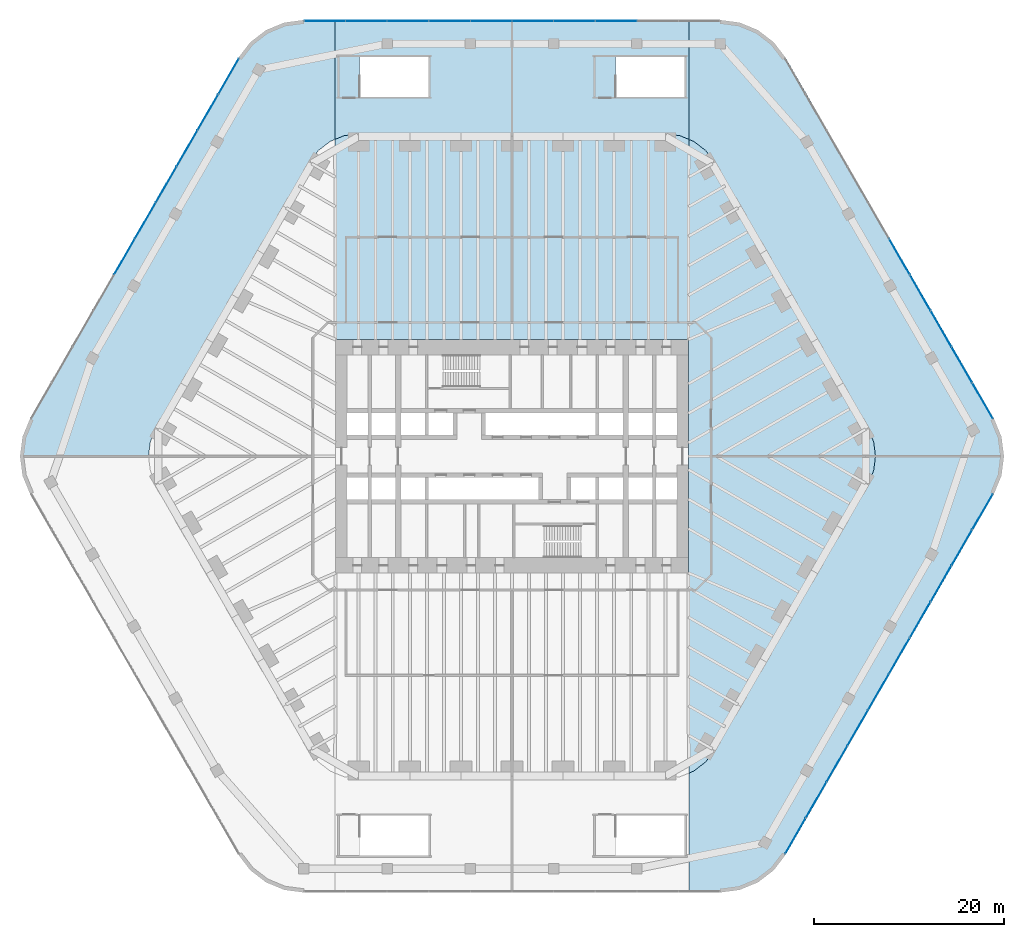
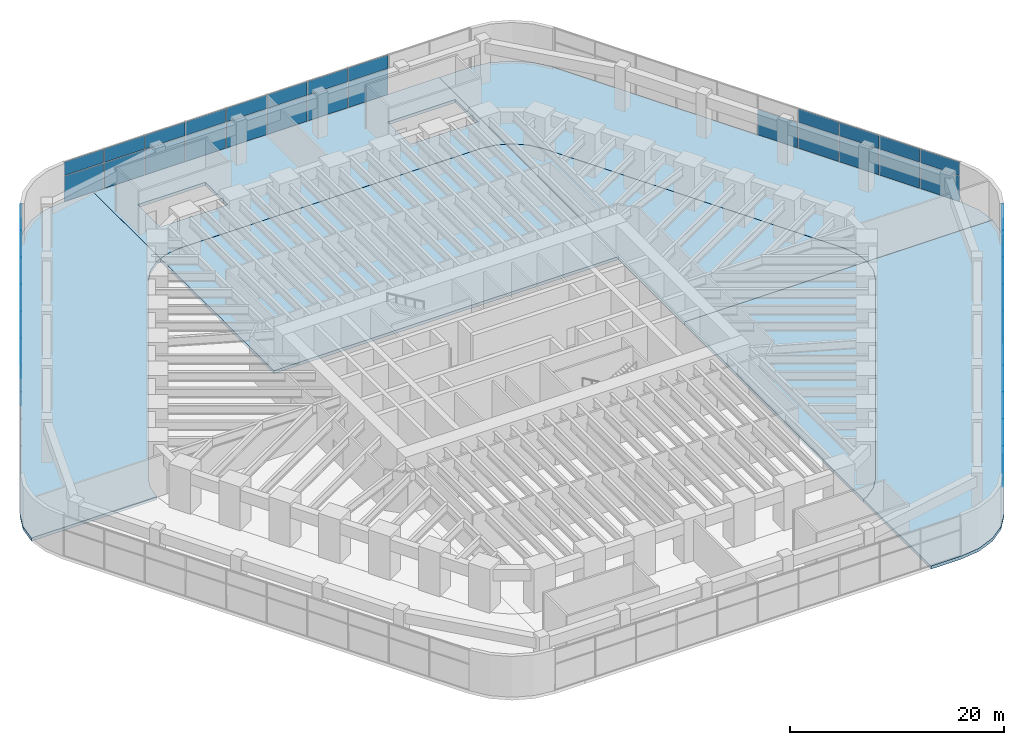
# One storey, part 24 of 31: 56 plates, 7 slabs, 4 elements without a shape of their own.
"""IFC4 building model written with IfcOpenShell, lengths in metres."""

from ifc_helpers import new_model, si_unit, direction, frame, origin, origin_2d, place, context, subcontext, project, spatial, polyline, rectangle, outline, extrude, material, layer, layer_set, type_object, element, aggregate, save


model = new_model("IFC4")

# Units and contexts
model_context = context("Model", 3, precision=1e-05, world=origin(), true_north=direction((0.0, 1.0)))
body_context = subcontext(model_context, "Body", "Model", "MODEL_VIEW")
ifc_project = project(units=[si_unit("LENGTHUNIT", "METRE"), si_unit("AREAUNIT", "SQUARE_METRE"), si_unit("VOLUMEUNIT", "CUBIC_METRE"), si_unit("PLANEANGLEUNIT", "RADIAN"), si_unit("MASSUNIT", "GRAM", prefix="KILO")], contexts=[model_context])

# Site, building, storey
site_placement = place(None, origin())
site = spatial("IfcSite", under=ifc_project, at=site_placement, CompositionType="ELEMENT")
building_placement = place(site_placement, origin())
building = spatial("IfcBuilding", under=site, at=building_placement, Name="Tarfa Lantern Tower", CompositionType="ELEMENT")
storey_placement = place(building_placement, frame((0.0, 0.0, 18.5)))
storey = spatial("IfcBuildingStorey", under=building, at=storey_placement, Name="L03", CompositionType="ELEMENT", Elevation=18.5)

# Curtain wall, plates
ifc_material_1 = material(Name="Aluminium framed curtain wall", Category="aluminium")
curtain_wall_type = type_object("IfcCurtainWallType", Name="CW7 PODIUM GLAZING 4650", PredefinedType="USERDEFINED", material=ifc_material_1)
curtain_wall_1_placement = place(storey_placement, origin())
curtain_wall_1 = element("IfcCurtainWall", 1, at=curtain_wall_1_placement, inside=storey, type_object=curtain_wall_type, Name="CW7 NE L03", ObjectType="CURTAIN WALL", PredefinedType="USERDEFINED")
ifc_material_2 = material(Name="Laminated double glazing", Category="glass")
ifc_layer_1 = layer(ifc_material_2, 0.028076171875)
ifc_layer_set_1 = layer_set([ifc_layer_1], Name="CWP1 DOUBLE GLAZED PANEL")
plate_type = type_object("IfcPlateType", Name="CWP1 DOUBLE GLAZED PANEL", PredefinedType="CURTAIN_PANEL", material=ifc_layer_set_1)
plate_1_placement = place(storey_placement, frame((49.615234375, 5.864013671875, 0.06494140625), z_axis=(0.0, 0.0, 1.0), x_axis=(-0.5, 0.866025403784, 0.0)))
plate_1 = element("IfcPlate", 2, at=plate_1_placement, type_object=plate_type, Name="CW7 panel 1.1", PredefinedType="CURTAIN_PANEL", context=body_context, shape_type="SweptSolid", body=[
    extrude(rectangle(XDim=4.290283203125, YDim=0.028076171875, at=origin_2d()), origin(), (0.0, 0.0, 1.0), 2.902587890625),
])
plate_2_placement = place(storey_placement, frame((49.615234375, 5.864013671875, 3.03271484375), z_axis=(0.0, 0.0, 1.0), x_axis=(-0.5, 0.866025403784, 0.0)))
plate_2 = element("IfcPlate", 3, at=plate_2_placement, type_object=plate_type, Name="CW7 panel 1.2", PredefinedType="CURTAIN_PANEL", context=body_context, shape_type="SweptSolid", body=[
    extrude(rectangle(XDim=4.290283203125, YDim=0.028076171875, at=origin_2d()), origin(), (0.0, 0.0, 1.0), 1.552490234375),
])
plate_3_placement = place(storey_placement, frame((47.429443359375, 9.64990234375, 0.06494140625), z_axis=(0.0, 0.0, 1.0), x_axis=(-0.5, 0.866025403784, 0.0)))
plate_3 = element("IfcPlate", 4, at=plate_3_placement, type_object=plate_type, Name="CW7 panel 2.1", PredefinedType="CURTAIN_PANEL", context=body_context, shape_type="SweptSolid", body=[
    extrude(rectangle(XDim=4.32275390625, YDim=0.028076171875, at=origin_2d()), origin(), (0.0, 0.0, 1.0), 2.902587890625),
])
plate_4_placement = place(storey_placement, frame((47.429443359375, 9.64990234375, 3.03271484375), z_axis=(0.0, 0.0, 1.0), x_axis=(-0.5, 0.866025403784, 0.0)))
plate_4 = element("IfcPlate", 5, at=plate_4_placement, type_object=plate_type, Name="CW7 panel 2.2", PredefinedType="CURTAIN_PANEL", context=body_context, shape_type="SweptSolid", body=[
    extrude(rectangle(XDim=4.32275390625, YDim=0.028076171875, at=origin_2d()), origin(), (0.0, 0.0, 1.0), 1.552490234375),
])
plate_5_placement = place(storey_placement, frame((45.2353515625, 13.449951171875, 0.06494140625), z_axis=(0.0, 0.0, 1.0), x_axis=(-0.5, 0.866025403784, 0.0)))
plate_5 = element("IfcPlate", 6, at=plate_5_placement, type_object=plate_type, Name="CW7 panel 3.1", PredefinedType="CURTAIN_PANEL", context=body_context, shape_type="SweptSolid", body=[
    extrude(rectangle(XDim=4.32275390625, YDim=0.028076171875, at=origin_2d()), origin(), (0.0, 0.0, 1.0), 2.902587890625),
])
plate_6_placement = place(storey_placement, frame((45.2353515625, 13.449951171875, 3.03271484375), z_axis=(0.0, 0.0, 1.0), x_axis=(-0.5, 0.866025403784, 0.0)))
plate_6 = element("IfcPlate", 7, at=plate_6_placement, type_object=plate_type, Name="CW7 panel 3.2", PredefinedType="CURTAIN_PANEL", context=body_context, shape_type="SweptSolid", body=[
    extrude(rectangle(XDim=4.32275390625, YDim=0.028076171875, at=origin_2d()), origin(), (0.0, 0.0, 1.0), 1.552490234375),
])
plate_7_placement = place(storey_placement, frame((43.04150390625, 17.25, 0.06494140625), z_axis=(0.0, 0.0, 1.0), x_axis=(-0.5, 0.866025403784, 0.0)))
plate_7 = element("IfcPlate", 8, at=plate_7_placement, type_object=plate_type, Name="CW7 panel 4.1", PredefinedType="CURTAIN_PANEL", context=body_context, shape_type="SweptSolid", body=[
    extrude(rectangle(XDim=4.32275390625, YDim=0.028076171875, at=origin_2d()), origin(), (0.0, 0.0, 1.0), 2.902587890625),
])
plate_8_placement = place(storey_placement, frame((43.04150390625, 17.25, 3.03271484375), z_axis=(0.0, 0.0, 1.0), x_axis=(-0.5, 0.866025403784, 0.0)))
plate_8 = element("IfcPlate", 9, at=plate_8_placement, type_object=plate_type, Name="CW7 panel 4.2", PredefinedType="CURTAIN_PANEL", context=body_context, shape_type="SweptSolid", body=[
    extrude(rectangle(XDim=4.32275390625, YDim=0.028076171875, at=origin_2d()), origin(), (0.0, 0.0, 1.0), 1.552490234375),
])
plate_9_placement = place(storey_placement, frame((40.847412109375, 21.050048828125, 0.06494140625), z_axis=(0.0, 0.0, 1.0), x_axis=(-0.5, 0.866025403784, 0.0)))
plate_9 = element("IfcPlate", 10, at=plate_9_placement, type_object=plate_type, Name="CW7 panel 5.1", PredefinedType="CURTAIN_PANEL", context=body_context, shape_type="SweptSolid", body=[
    extrude(rectangle(XDim=4.32275390625, YDim=0.028076171875, at=origin_2d()), origin(), (0.0, 0.0, 1.0), 2.902587890625),
])
aggregate(curtain_wall_1, [plate_1, plate_2, plate_3, plate_4, plate_5, plate_6, plate_7, plate_8, plate_9])

curtain_wall_2_placement = place(storey_placement, origin())
curtain_wall_2 = element("IfcCurtainWall", 11, at=curtain_wall_2_placement, inside=storey, type_object=curtain_wall_type, Name="CW7 N L03", ObjectType="CURTAIN WALL", PredefinedType="USERDEFINED")
plate_10_placement = place(storey_placement, frame((10.9697265625, 45.89990234375, 0.06494140625), z_axis=(0.0, 0.0, 1.0), x_axis=(-1.0, 0.0, 0.0)))
plate_10 = element("IfcPlate", 12, at=plate_10_placement, type_object=plate_type, Name="CW7 panel 3.1", PredefinedType="CURTAIN_PANEL", context=body_context, shape_type="SweptSolid", body=[
    extrude(rectangle(XDim=4.32275390625, YDim=0.028076171875, at=origin_2d()), origin(), (0.0, 0.0, 1.0), 2.902587890625),
])
plate_11_placement = place(storey_placement, frame((10.9697265625, 45.89990234375, 3.03271484375), z_axis=(0.0, 0.0, 1.0), x_axis=(-1.0, 0.0, 0.0)))
plate_11 = element("IfcPlate", 13, at=plate_11_placement, type_object=plate_type, Name="CW7 panel 3.2", PredefinedType="CURTAIN_PANEL", context=body_context, shape_type="SweptSolid", body=[
    extrude(rectangle(XDim=4.32275390625, YDim=0.028076171875, at=origin_2d()), origin(), (0.0, 0.0, 1.0), 1.552490234375),
])
plate_12_placement = place(storey_placement, frame((6.581787109375, 45.89990234375, 0.06494140625), z_axis=(0.0, 0.0, 1.0), x_axis=(-1.0, 0.0, 0.0)))
plate_12 = element("IfcPlate", 14, at=plate_12_placement, type_object=plate_type, Name="CW7 panel 4.1", PredefinedType="CURTAIN_PANEL", context=body_context, shape_type="SweptSolid", body=[
    extrude(rectangle(XDim=4.32275390625, YDim=0.028076171875, at=origin_2d()), origin(), (0.0, 0.0, 1.0), 2.902587890625),
])
plate_13_placement = place(storey_placement, frame((6.581787109375, 45.89990234375, 3.03271484375), z_axis=(0.0, 0.0, 1.0), x_axis=(-1.0, 0.0, 0.0)))
plate_13 = element("IfcPlate", 15, at=plate_13_placement, type_object=plate_type, Name="CW7 panel 4.2", PredefinedType="CURTAIN_PANEL", context=body_context, shape_type="SweptSolid", body=[
    extrude(rectangle(XDim=4.32275390625, YDim=0.028076171875, at=origin_2d()), origin(), (0.0, 0.0, 1.0), 1.552490234375),
])
plate_14_placement = place(storey_placement, frame((2.19384765625, 45.89990234375, 0.06494140625), z_axis=(0.0, 0.0, 1.0), x_axis=(-1.0, 0.0, 0.0)))
plate_14 = element("IfcPlate", 16, at=plate_14_placement, type_object=plate_type, Name="CW7 panel 5.1", PredefinedType="CURTAIN_PANEL", context=body_context, shape_type="SweptSolid", body=[
    extrude(rectangle(XDim=4.32275390625, YDim=0.028076171875, at=origin_2d()), origin(), (0.0, 0.0, 1.0), 2.902587890625),
])
plate_15_placement = place(storey_placement, frame((2.19384765625, 45.89990234375, 3.03271484375), z_axis=(0.0, 0.0, 1.0), x_axis=(-1.0, 0.0, 0.0)))
plate_15 = element("IfcPlate", 17, at=plate_15_placement, type_object=plate_type, Name="CW7 panel 5.2", PredefinedType="CURTAIN_PANEL", context=body_context, shape_type="SweptSolid", body=[
    extrude(rectangle(XDim=4.32275390625, YDim=0.028076171875, at=origin_2d()), origin(), (0.0, 0.0, 1.0), 1.552490234375),
])
plate_16_placement = place(storey_placement, frame((-2.19384765625, 45.89990234375, 0.06494140625), z_axis=(0.0, 0.0, 1.0), x_axis=(-1.0, 0.0, 0.0)))
plate_16 = element("IfcPlate", 18, at=plate_16_placement, type_object=plate_type, Name="CW7 panel 6.1", PredefinedType="CURTAIN_PANEL", context=body_context, shape_type="SweptSolid", body=[
    extrude(rectangle(XDim=4.32275390625, YDim=0.028076171875, at=origin_2d()), origin(), (0.0, 0.0, 1.0), 2.902587890625),
])
plate_17_placement = place(storey_placement, frame((-2.19384765625, 45.89990234375, 3.03271484375), z_axis=(0.0, 0.0, 1.0), x_axis=(-1.0, 0.0, 0.0)))
plate_17 = element("IfcPlate", 19, at=plate_17_placement, type_object=plate_type, Name="CW7 panel 6.2", PredefinedType="CURTAIN_PANEL", context=body_context, shape_type="SweptSolid", body=[
    extrude(rectangle(XDim=4.32275390625, YDim=0.028076171875, at=origin_2d()), origin(), (0.0, 0.0, 1.0), 1.552490234375),
])
plate_18_placement = place(storey_placement, frame((-6.581787109375, 45.89990234375, 0.06494140625), z_axis=(0.0, 0.0, 1.0), x_axis=(-1.0, 0.0, 0.0)))
plate_18 = element("IfcPlate", 20, at=plate_18_placement, type_object=plate_type, Name="CW7 panel 7.1", PredefinedType="CURTAIN_PANEL", context=body_context, shape_type="SweptSolid", body=[
    extrude(rectangle(XDim=4.32275390625, YDim=0.028076171875, at=origin_2d()), origin(), (0.0, 0.0, 1.0), 2.902587890625),
])
plate_19_placement = place(storey_placement, frame((-6.581787109375, 45.89990234375, 3.03271484375), z_axis=(0.0, 0.0, 1.0), x_axis=(-1.0, 0.0, 0.0)))
plate_19 = element("IfcPlate", 21, at=plate_19_placement, type_object=plate_type, Name="CW7 panel 7.2", PredefinedType="CURTAIN_PANEL", context=body_context, shape_type="SweptSolid", body=[
    extrude(rectangle(XDim=4.32275390625, YDim=0.028076171875, at=origin_2d()), origin(), (0.0, 0.0, 1.0), 1.552490234375),
])
plate_20_placement = place(storey_placement, frame((-10.9697265625, 45.89990234375, 0.06494140625), z_axis=(0.0, 0.0, 1.0), x_axis=(-1.0, 0.0, 0.0)))
plate_20 = element("IfcPlate", 22, at=plate_20_placement, type_object=plate_type, Name="CW7 panel 8.1", PredefinedType="CURTAIN_PANEL", context=body_context, shape_type="SweptSolid", body=[
    extrude(rectangle(XDim=4.32275390625, YDim=0.028076171875, at=origin_2d()), origin(), (0.0, 0.0, 1.0), 2.902587890625),
])
plate_21_placement = place(storey_placement, frame((-10.9697265625, 45.89990234375, 3.03271484375), z_axis=(0.0, 0.0, 1.0), x_axis=(-1.0, 0.0, 0.0)))
plate_21 = element("IfcPlate", 23, at=plate_21_placement, type_object=plate_type, Name="CW7 panel 8.2", PredefinedType="CURTAIN_PANEL", context=body_context, shape_type="SweptSolid", body=[
    extrude(rectangle(XDim=4.32275390625, YDim=0.028076171875, at=origin_2d()), origin(), (0.0, 0.0, 1.0), 1.552490234375),
])
plate_22_placement = place(storey_placement, frame((-15.357421875, 45.89990234375, 0.06494140625), z_axis=(0.0, 0.0, 1.0), x_axis=(-1.0, 0.0, 0.0)))
plate_22 = element("IfcPlate", 24, at=plate_22_placement, type_object=plate_type, Name="CW7 panel 9.1", PredefinedType="CURTAIN_PANEL", context=body_context, shape_type="SweptSolid", body=[
    extrude(rectangle(XDim=4.32275390625, YDim=0.028076171875, at=origin_2d()), origin(), (0.0, 0.0, 1.0), 2.902587890625),
])
plate_23_placement = place(storey_placement, frame((-15.357421875, 45.89990234375, 3.03271484375), z_axis=(0.0, 0.0, 1.0), x_axis=(-1.0, 0.0, 0.0)))
plate_23 = element("IfcPlate", 25, at=plate_23_placement, type_object=plate_type, Name="CW7 panel 9.2", PredefinedType="CURTAIN_PANEL", context=body_context, shape_type="SweptSolid", body=[
    extrude(rectangle(XDim=4.32275390625, YDim=0.028076171875, at=origin_2d()), origin(), (0.0, 0.0, 1.0), 1.552490234375),
])
plate_24_placement = place(storey_placement, frame((-19.729248046875, 45.89990234375, 0.06494140625), z_axis=(0.0, 0.0, 1.0), x_axis=(-1.0, 0.0, 0.0)))
plate_24 = element("IfcPlate", 26, at=plate_24_placement, type_object=plate_type, Name="CW7 panel 10.1", PredefinedType="CURTAIN_PANEL", context=body_context, shape_type="SweptSolid", body=[
    extrude(rectangle(XDim=4.290283203125, YDim=0.028076171875, at=origin_2d()), origin(), (0.0, 0.0, 1.0), 2.902587890625),
])
plate_25_placement = place(storey_placement, frame((-19.729248046875, 45.89990234375, 3.03271484375), z_axis=(0.0, 0.0, 1.0), x_axis=(-1.0, 0.0, 0.0)))
plate_25 = element("IfcPlate", 27, at=plate_25_placement, type_object=plate_type, Name="CW7 panel 10.2", PredefinedType="CURTAIN_PANEL", context=body_context, shape_type="SweptSolid", body=[
    extrude(rectangle(XDim=4.290283203125, YDim=0.028076171875, at=origin_2d()), origin(), (0.0, 0.0, 1.0), 1.552490234375),
])
aggregate(curtain_wall_2, [plate_10, plate_11, plate_12, plate_13, plate_14, plate_15, plate_16, plate_17, plate_18, plate_19, plate_20, plate_21, plate_22, plate_23, plate_24, plate_25])

curtain_wall_3_placement = place(storey_placement, origin())
curtain_wall_3 = element("IfcCurtainWall", 28, at=curtain_wall_3_placement, inside=storey, type_object=curtain_wall_type, Name="CW7 NW L03", ObjectType="CURTAIN WALL", PredefinedType="USERDEFINED")
plate_26_placement = place(storey_placement, frame((-29.885986328125, 40.035888671875, 0.06494140625), z_axis=(0.0, 0.0, 1.0), x_axis=(-0.5, -0.866025403784, 0.0)))
plate_26 = element("IfcPlate", 29, at=plate_26_placement, type_object=plate_type, Name="CW7 panel 1.1", PredefinedType="CURTAIN_PANEL", context=body_context, shape_type="SweptSolid", body=[
    extrude(rectangle(XDim=4.290283203125, YDim=0.028076171875, at=origin_2d()), origin(), (0.0, 0.0, 1.0), 2.902587890625),
])
plate_27_placement = place(storey_placement, frame((-29.885986328125, 40.035888671875, 3.03271484375), z_axis=(0.0, 0.0, 1.0), x_axis=(-0.5, -0.866025403784, 0.0)))
plate_27 = element("IfcPlate", 30, at=plate_27_placement, type_object=plate_type, Name="CW7 panel 1.2", PredefinedType="CURTAIN_PANEL", context=body_context, shape_type="SweptSolid", body=[
    extrude(rectangle(XDim=4.290283203125, YDim=0.028076171875, at=origin_2d()), origin(), (0.0, 0.0, 1.0), 1.552490234375),
])
plate_28_placement = place(storey_placement, frame((-32.07177734375, 36.25, 0.06494140625), z_axis=(0.0, 0.0, 1.0), x_axis=(-0.5, -0.866025403784, 0.0)))
plate_28 = element("IfcPlate", 31, at=plate_28_placement, type_object=plate_type, Name="CW7 panel 2.1", PredefinedType="CURTAIN_PANEL", context=body_context, shape_type="SweptSolid", body=[
    extrude(rectangle(XDim=4.32275390625, YDim=0.028076171875, at=origin_2d()), origin(), (0.0, 0.0, 1.0), 2.902587890625),
])
plate_29_placement = place(storey_placement, frame((-32.07177734375, 36.25, 3.03271484375), z_axis=(0.0, 0.0, 1.0), x_axis=(-0.5, -0.866025403784, 0.0)))
plate_29 = element("IfcPlate", 32, at=plate_29_placement, type_object=plate_type, Name="CW7 panel 2.2", PredefinedType="CURTAIN_PANEL", context=body_context, shape_type="SweptSolid", body=[
    extrude(rectangle(XDim=4.32275390625, YDim=0.028076171875, at=origin_2d()), origin(), (0.0, 0.0, 1.0), 1.552490234375),
])
plate_30_placement = place(storey_placement, frame((-34.265625, 32.449951171875, 0.06494140625), z_axis=(0.0, 0.0, 1.0), x_axis=(-0.5, -0.866025403784, 0.0)))
plate_30 = element("IfcPlate", 33, at=plate_30_placement, type_object=plate_type, Name="CW7 panel 3.1", PredefinedType="CURTAIN_PANEL", context=body_context, shape_type="SweptSolid", body=[
    extrude(rectangle(XDim=4.32275390625, YDim=0.028076171875, at=origin_2d()), origin(), (0.0, 0.0, 1.0), 2.902587890625),
])
plate_31_placement = place(storey_placement, frame((-34.265625, 32.449951171875, 3.03271484375), z_axis=(0.0, 0.0, 1.0), x_axis=(-0.5, -0.866025403784, 0.0)))
plate_31 = element("IfcPlate", 34, at=plate_31_placement, type_object=plate_type, Name="CW7 panel 3.2", PredefinedType="CURTAIN_PANEL", context=body_context, shape_type="SweptSolid", body=[
    extrude(rectangle(XDim=4.32275390625, YDim=0.028076171875, at=origin_2d()), origin(), (0.0, 0.0, 1.0), 1.552490234375),
])
plate_32_placement = place(storey_placement, frame((-36.459716796875, 28.64990234375, 0.06494140625), z_axis=(0.0, 0.0, 1.0), x_axis=(-0.5, -0.866025403784, 0.0)))
plate_32 = element("IfcPlate", 35, at=plate_32_placement, type_object=plate_type, Name="CW7 panel 4.1", PredefinedType="CURTAIN_PANEL", context=body_context, shape_type="SweptSolid", body=[
    extrude(rectangle(XDim=4.32275390625, YDim=0.028076171875, at=origin_2d()), origin(), (0.0, 0.0, 1.0), 2.902587890625),
])
plate_33_placement = place(storey_placement, frame((-36.459716796875, 28.64990234375, 3.03271484375), z_axis=(0.0, 0.0, 1.0), x_axis=(-0.5, -0.866025403784, 0.0)))
plate_33 = element("IfcPlate", 36, at=plate_33_placement, type_object=plate_type, Name="CW7 panel 4.2", PredefinedType="CURTAIN_PANEL", context=body_context, shape_type="SweptSolid", body=[
    extrude(rectangle(XDim=4.32275390625, YDim=0.028076171875, at=origin_2d()), origin(), (0.0, 0.0, 1.0), 1.552490234375),
])
plate_34_placement = place(storey_placement, frame((-38.653564453125, 24.85009765625, 0.06494140625), z_axis=(0.0, 0.0, 1.0), x_axis=(-0.5, -0.866025403784, 0.0)))
plate_34 = element("IfcPlate", 37, at=plate_34_placement, type_object=plate_type, Name="CW7 panel 5.1", PredefinedType="CURTAIN_PANEL", context=body_context, shape_type="SweptSolid", body=[
    extrude(rectangle(XDim=4.32275390625, YDim=0.028076171875, at=origin_2d()), origin(), (0.0, 0.0, 1.0), 2.902587890625),
])
plate_35_placement = place(storey_placement, frame((-38.653564453125, 24.85009765625, 3.03271484375), z_axis=(0.0, 0.0, 1.0), x_axis=(-0.5, -0.866025403784, 0.0)))
plate_35 = element("IfcPlate", 38, at=plate_35_placement, type_object=plate_type, Name="CW7 panel 5.2", PredefinedType="CURTAIN_PANEL", context=body_context, shape_type="SweptSolid", body=[
    extrude(rectangle(XDim=4.32275390625, YDim=0.028076171875, at=origin_2d()), origin(), (0.0, 0.0, 1.0), 1.552490234375),
])
plate_36_placement = place(storey_placement, frame((-40.847412109375, 21.050048828125, 0.06494140625), z_axis=(0.0, 0.0, 1.0), x_axis=(-0.5, -0.866025403784, 0.0)))
plate_36 = element("IfcPlate", 39, at=plate_36_placement, type_object=plate_type, Name="CW7 panel 6.1", PredefinedType="CURTAIN_PANEL", context=body_context, shape_type="SweptSolid", body=[
    extrude(rectangle(XDim=4.32275390625, YDim=0.028076171875, at=origin_2d()), origin(), (0.0, 0.0, 1.0), 2.902587890625),
])
plate_37_placement = place(storey_placement, frame((-40.847412109375, 21.050048828125, 3.03271484375), z_axis=(0.0, 0.0, 1.0), x_axis=(-0.5, -0.866025403784, 0.0)))
plate_37 = element("IfcPlate", 40, at=plate_37_placement, type_object=plate_type, Name="CW7 panel 6.2", PredefinedType="CURTAIN_PANEL", context=body_context, shape_type="SweptSolid", body=[
    extrude(rectangle(XDim=4.32275390625, YDim=0.028076171875, at=origin_2d()), origin(), (0.0, 0.0, 1.0), 1.552490234375),
])
aggregate(curtain_wall_3, [plate_26, plate_27, plate_28, plate_29, plate_30, plate_31, plate_32, plate_33, plate_34, plate_35, plate_36, plate_37])

curtain_wall_4_placement = place(storey_placement, origin())
curtain_wall_4 = element("IfcCurtainWall", 41, at=curtain_wall_4_placement, inside=storey, type_object=curtain_wall_type, Name="CW7 SE L03", ObjectType="CURTAIN WALL", PredefinedType="USERDEFINED")
plate_38_placement = place(storey_placement, frame((29.885986328125, -40.035888671875, 3.03271484375), z_axis=(0.0, 0.0, 1.0), x_axis=(0.5, 0.866025403784, 0.0)))
plate_38 = element("IfcPlate", 42, at=plate_38_placement, type_object=plate_type, Name="CW7 panel 1.2", PredefinedType="CURTAIN_PANEL", context=body_context, shape_type="SweptSolid", body=[
    extrude(rectangle(XDim=4.290283203125, YDim=0.028076171875, at=origin_2d()), origin(), (0.0, 0.0, 1.0), 1.552490234375),
])
plate_39_placement = place(storey_placement, frame((32.07177734375, -36.25, 0.06494140625), z_axis=(0.0, 0.0, 1.0), x_axis=(0.5, 0.866025403784, 0.0)))
plate_39 = element("IfcPlate", 43, at=plate_39_placement, type_object=plate_type, Name="CW7 panel 2.1", PredefinedType="CURTAIN_PANEL", context=body_context, shape_type="SweptSolid", body=[
    extrude(rectangle(XDim=4.32275390625, YDim=0.028076171875, at=origin_2d()), origin(), (0.0, 0.0, 1.0), 2.902587890625),
])
plate_40_placement = place(storey_placement, frame((32.07177734375, -36.25, 3.03271484375), z_axis=(0.0, 0.0, 1.0), x_axis=(0.5, 0.866025403784, 0.0)))
plate_40 = element("IfcPlate", 44, at=plate_40_placement, type_object=plate_type, Name="CW7 panel 2.2", PredefinedType="CURTAIN_PANEL", context=body_context, shape_type="SweptSolid", body=[
    extrude(rectangle(XDim=4.32275390625, YDim=0.028076171875, at=origin_2d()), origin(), (0.0, 0.0, 1.0), 1.552490234375),
])
plate_41_placement = place(storey_placement, frame((34.265625, -32.449951171875, 0.06494140625), z_axis=(0.0, 0.0, 1.0), x_axis=(0.5, 0.866025403784, 0.0)))
plate_41 = element("IfcPlate", 45, at=plate_41_placement, type_object=plate_type, Name="CW7 panel 3.1", PredefinedType="CURTAIN_PANEL", context=body_context, shape_type="SweptSolid", body=[
    extrude(rectangle(XDim=4.32275390625, YDim=0.028076171875, at=origin_2d()), origin(), (0.0, 0.0, 1.0), 2.902587890625),
])
plate_42_placement = place(storey_placement, frame((34.265625, -32.449951171875, 3.03271484375), z_axis=(0.0, 0.0, 1.0), x_axis=(0.5, 0.866025403784, 0.0)))
plate_42 = element("IfcPlate", 46, at=plate_42_placement, type_object=plate_type, Name="CW7 panel 3.2", PredefinedType="CURTAIN_PANEL", context=body_context, shape_type="SweptSolid", body=[
    extrude(rectangle(XDim=4.32275390625, YDim=0.028076171875, at=origin_2d()), origin(), (0.0, 0.0, 1.0), 1.552490234375),
])
plate_43_placement = place(storey_placement, frame((36.459716796875, -28.64990234375, 0.06494140625), z_axis=(0.0, 0.0, 1.0), x_axis=(0.5, 0.866025403784, 0.0)))
plate_43 = element("IfcPlate", 47, at=plate_43_placement, type_object=plate_type, Name="CW7 panel 4.1", PredefinedType="CURTAIN_PANEL", context=body_context, shape_type="SweptSolid", body=[
    extrude(rectangle(XDim=4.32275390625, YDim=0.028076171875, at=origin_2d()), origin(), (0.0, 0.0, 1.0), 2.902587890625),
])
plate_44_placement = place(storey_placement, frame((36.459716796875, -28.64990234375, 3.03271484375), z_axis=(0.0, 0.0, 1.0), x_axis=(0.5, 0.866025403784, 0.0)))
plate_44 = element("IfcPlate", 48, at=plate_44_placement, type_object=plate_type, Name="CW7 panel 4.2", PredefinedType="CURTAIN_PANEL", context=body_context, shape_type="SweptSolid", body=[
    extrude(rectangle(XDim=4.32275390625, YDim=0.028076171875, at=origin_2d()), origin(), (0.0, 0.0, 1.0), 1.552490234375),
])
plate_45_placement = place(storey_placement, frame((38.653564453125, -24.85009765625, 0.06494140625), z_axis=(0.0, 0.0, 1.0), x_axis=(0.5, 0.866025403784, 0.0)))
plate_45 = element("IfcPlate", 49, at=plate_45_placement, type_object=plate_type, Name="CW7 panel 5.1", PredefinedType="CURTAIN_PANEL", context=body_context, shape_type="SweptSolid", body=[
    extrude(rectangle(XDim=4.32275390625, YDim=0.028076171875, at=origin_2d()), origin(), (0.0, 0.0, 1.0), 2.902587890625),
])
plate_46_placement = place(storey_placement, frame((38.653564453125, -24.85009765625, 3.03271484375), z_axis=(0.0, 0.0, 1.0), x_axis=(0.5, 0.866025403784, 0.0)))
plate_46 = element("IfcPlate", 50, at=plate_46_placement, type_object=plate_type, Name="CW7 panel 5.2", PredefinedType="CURTAIN_PANEL", context=body_context, shape_type="SweptSolid", body=[
    extrude(rectangle(XDim=4.32275390625, YDim=0.028076171875, at=origin_2d()), origin(), (0.0, 0.0, 1.0), 1.552490234375),
])
plate_47_placement = place(storey_placement, frame((40.847412109375, -21.050048828125, 0.06494140625), z_axis=(0.0, 0.0, 1.0), x_axis=(0.5, 0.866025403784, 0.0)))
plate_47 = element("IfcPlate", 51, at=plate_47_placement, type_object=plate_type, Name="CW7 panel 6.1", PredefinedType="CURTAIN_PANEL", context=body_context, shape_type="SweptSolid", body=[
    extrude(rectangle(XDim=4.32275390625, YDim=0.028076171875, at=origin_2d()), origin(), (0.0, 0.0, 1.0), 2.902587890625),
])
plate_48_placement = place(storey_placement, frame((40.847412109375, -21.050048828125, 3.03271484375), z_axis=(0.0, 0.0, 1.0), x_axis=(0.5, 0.866025403784, 0.0)))
plate_48 = element("IfcPlate", 52, at=plate_48_placement, type_object=plate_type, Name="CW7 panel 6.2", PredefinedType="CURTAIN_PANEL", context=body_context, shape_type="SweptSolid", body=[
    extrude(rectangle(XDim=4.32275390625, YDim=0.028076171875, at=origin_2d()), origin(), (0.0, 0.0, 1.0), 1.552490234375),
])
plate_49_placement = place(storey_placement, frame((43.04150390625, -17.25, 0.06494140625), z_axis=(0.0, 0.0, 1.0), x_axis=(0.5, 0.866025403784, 0.0)))
plate_49 = element("IfcPlate", 53, at=plate_49_placement, type_object=plate_type, Name="CW7 panel 7.1", PredefinedType="CURTAIN_PANEL", context=body_context, shape_type="SweptSolid", body=[
    extrude(rectangle(XDim=4.32275390625, YDim=0.028076171875, at=origin_2d()), origin(), (0.0, 0.0, 1.0), 2.902587890625),
])
plate_50_placement = place(storey_placement, frame((43.04150390625, -17.25, 3.03271484375), z_axis=(0.0, 0.0, 1.0), x_axis=(0.5, 0.866025403784, 0.0)))
plate_50 = element("IfcPlate", 54, at=plate_50_placement, type_object=plate_type, Name="CW7 panel 7.2", PredefinedType="CURTAIN_PANEL", context=body_context, shape_type="SweptSolid", body=[
    extrude(rectangle(XDim=4.32275390625, YDim=0.028076171875, at=origin_2d()), origin(), (0.0, 0.0, 1.0), 1.552490234375),
])
plate_51_placement = place(storey_placement, frame((45.2353515625, -13.449951171875, 0.06494140625), z_axis=(0.0, 0.0, 1.0), x_axis=(0.5, 0.866025403784, 0.0)))
plate_51 = element("IfcPlate", 55, at=plate_51_placement, type_object=plate_type, Name="CW7 panel 8.1", PredefinedType="CURTAIN_PANEL", context=body_context, shape_type="SweptSolid", body=[
    extrude(rectangle(XDim=4.32275390625, YDim=0.028076171875, at=origin_2d()), origin(), (0.0, 0.0, 1.0), 2.902587890625),
])
plate_52_placement = place(storey_placement, frame((45.2353515625, -13.449951171875, 3.03271484375), z_axis=(0.0, 0.0, 1.0), x_axis=(0.5, 0.866025403784, 0.0)))
plate_52 = element("IfcPlate", 56, at=plate_52_placement, type_object=plate_type, Name="CW7 panel 8.2", PredefinedType="CURTAIN_PANEL", context=body_context, shape_type="SweptSolid", body=[
    extrude(rectangle(XDim=4.32275390625, YDim=0.028076171875, at=origin_2d()), origin(), (0.0, 0.0, 1.0), 1.552490234375),
])
plate_53_placement = place(storey_placement, frame((47.429443359375, -9.64990234375, 0.06494140625), z_axis=(0.0, 0.0, 1.0), x_axis=(0.5, 0.866025403784, 0.0)))
plate_53 = element("IfcPlate", 57, at=plate_53_placement, type_object=plate_type, Name="CW7 panel 9.1", PredefinedType="CURTAIN_PANEL", context=body_context, shape_type="SweptSolid", body=[
    extrude(rectangle(XDim=4.32275390625, YDim=0.028076171875, at=origin_2d()), origin(), (0.0, 0.0, 1.0), 2.902587890625),
])
plate_54_placement = place(storey_placement, frame((47.429443359375, -9.64990234375, 3.03271484375), z_axis=(0.0, 0.0, 1.0), x_axis=(0.5, 0.866025403784, 0.0)))
plate_54 = element("IfcPlate", 58, at=plate_54_placement, type_object=plate_type, Name="CW7 panel 9.2", PredefinedType="CURTAIN_PANEL", context=body_context, shape_type="SweptSolid", body=[
    extrude(rectangle(XDim=4.32275390625, YDim=0.028076171875, at=origin_2d()), origin(), (0.0, 0.0, 1.0), 1.552490234375),
])
plate_55_placement = place(storey_placement, frame((49.615234375, -5.864013671875, 0.06494140625), z_axis=(0.0, 0.0, 1.0), x_axis=(0.5, 0.866025403784, 0.0)))
plate_55 = element("IfcPlate", 59, at=plate_55_placement, type_object=plate_type, Name="CW7 panel 10.1", PredefinedType="CURTAIN_PANEL", context=body_context, shape_type="SweptSolid", body=[
    extrude(rectangle(XDim=4.290283203125, YDim=0.028076171875, at=origin_2d()), origin(), (0.0, 0.0, 1.0), 2.902587890625),
])
plate_56_placement = place(storey_placement, frame((49.615234375, -5.864013671875, 3.03271484375), z_axis=(0.0, 0.0, 1.0), x_axis=(0.5, 0.866025403784, 0.0)))
plate_56 = element("IfcPlate", 60, at=plate_56_placement, type_object=plate_type, Name="CW7 panel 10.2", PredefinedType="CURTAIN_PANEL", context=body_context, shape_type="SweptSolid", body=[
    extrude(rectangle(XDim=4.290283203125, YDim=0.028076171875, at=origin_2d()), origin(), (0.0, 0.0, 1.0), 1.552490234375),
])
aggregate(curtain_wall_4, [plate_38, plate_39, plate_40, plate_41, plate_42, plate_43, plate_44, plate_45, plate_46, plate_47, plate_48, plate_49, plate_50, plate_51, plate_52, plate_53, plate_54, plate_55, plate_56])

# Slabs
ifc_material_3 = material(Name="Concrete C40/50", Category="concrete")
ifc_layer_2 = layer(ifc_material_3, 0.35009765625)
ifc_layer_set_2 = layer_set([ifc_layer_2], Name="FS3 FLOOR SLAB 350")
slab_type = type_object("IfcSlabType", Name="FS3 FLOOR SLAB 350", PredefinedType="FLOOR", material=ifc_layer_set_2)
slab_1_placement = place(storey_placement, frame((0.0, 0.0, -0.35009765625)))
element("IfcSlab", 61, at=slab_1_placement, inside=storey, type_object=slab_type, Name="Floor slab L03 NE bay", PredefinedType="FLOOR", context=body_context, shape_type="SweptSolid", body=[
    extrude(outline(polyline([(37.52587890625, 2.9990234375), (21.3603515625, 30.998779296875), (20.406982421875, 32.2412109375), (19.164794921875, 33.1943359375), (18.64697265625, 33.408935546875), (18.60205078125, 12.300048828125), (18.60205078125, 0.001953125), (38.329345703125, 0.001953125), (38.125244140625, 1.552490234375), (37.52587890625, 2.9990234375)])), origin(), (0.0, 0.0, 1.0), 0.35009765625),
])
slab_2_placement = place(storey_placement, frame((0.0, 0.0, -0.35009765625)))
element("IfcSlab", 62, at=slab_2_placement, inside=storey, type_object=slab_type, Name="Floor slab L03 N bay", PredefinedType="FLOOR", context=body_context, shape_type="SweptSolid", body=[
    extrude(outline(polyline([(-18.597900390625, 12.302001953125), (18.597900390625, 12.302001953125), (18.64306640625, 33.41064453125), (17.71826171875, 33.793701171875), (16.165771484375, 33.998046875), (-16.165771484375, 33.998046875), (-17.71826171875, 33.793701171875), (-18.64306640625, 33.41064453125), (-18.597900390625, 12.302001953125)])), origin(), (0.0, 0.0, 1.0), 0.35009765625),
])
slab_3_placement = place(storey_placement, frame((0.0, 0.0, -0.35009765625)))
element("IfcSlab", 63, at=slab_3_placement, inside=storey, type_object=slab_type, Name="Floor slab L03 SE bay", PredefinedType="FLOOR", context=body_context, shape_type="SweptSolid", body=[
    extrude(outline(polyline([(18.60205078125, -0.001953125), (18.60205078125, -12.300048828125), (18.64697265625, -33.408935546875), (19.164794921875, -33.1943359375), (20.406982421875, -32.2412109375), (21.3603515625, -30.998779296875), (37.52587890625, -2.9990234375), (38.125244140625, -1.552490234375), (38.329345703125, -0.001953125), (18.60205078125, -0.001953125)])), origin(), (0.0, 0.0, 1.0), 0.35009765625),
])
slab_4_placement = place(storey_placement, frame((0.0, 0.0, -0.35009765625)))
element("IfcSlab", 64, at=slab_4_placement, inside=storey, type_object=slab_type, Name="Floor slab L03 podium-NE bay", PredefinedType="FLOOR", context=body_context, shape_type="SweptSolid", body=[
    extrude(outline(polyline([(50.804931640625, 3.9990234375), (28.865966796875, 41.998779296875), (27.5947265625, 43.655517578125), (25.938232421875, 44.926513671875), (24.00927734375, 45.725341796875), (21.939208984375, 45.998046875), (18.673828125, 45.998046875), (18.64697265625, 33.4130859375), (19.166748046875, 33.197998046875), (20.409912109375, 32.244140625), (21.363525390625, 31.001220703125), (37.529541015625, 3.0009765625), (38.129150390625, 1.553466796875), (38.333251953125, 0.001953125), (51.876220703125, 0.001953125), (51.60400390625, 2.070068359375), (50.804931640625, 3.9990234375)])), origin(), (0.0, 0.0, 1.0), 0.35009765625),
])
slab_5_placement = place(storey_placement, frame((0.0, 0.0, -0.35009765625)))
element("IfcSlab", 65, at=slab_5_placement, inside=storey, type_object=slab_type, Name="Floor slab L03 podium-N bay", PredefinedType="FLOOR", context=body_context, shape_type="SweptSolid", body=[
    extrude(outline(polyline([(-18.64306640625, 33.414794921875), (-17.71923828125, 33.797607421875), (-16.166015625, 34.001953125), (16.166015625, 34.001953125), (17.71923828125, 33.797607421875), (18.64306640625, 33.414794921875), (18.669921875, 45.998046875), (-18.669921875, 45.998046875), (-18.64306640625, 33.414794921875)]), holes=[polyline([(10.89990234375, 37.89990234375), (18.199951171875, 37.89990234375), (18.199951171875, 42.10009765625), (10.89990234375, 42.10009765625), (10.89990234375, 37.89990234375)]), polyline([(-16.10009765625, 37.89990234375), (-8.800048828125, 37.89990234375), (-8.800048828125, 42.10009765625), (-16.10009765625, 42.10009765625), (-16.10009765625, 37.89990234375)])]), origin(), (0.0, 0.0, 1.0), 0.35009765625),
])
slab_6_placement = place(storey_placement, frame((0.0, 0.0, -0.35009765625)))
element("IfcSlab", 66, at=slab_6_placement, inside=storey, type_object=slab_type, Name="Floor slab L03 podium-NW bay", PredefinedType="FLOOR", context=body_context, shape_type="SweptSolid", body=[
    extrude(outline(polyline([(-38.333251953125, 0.001953125), (-38.129150390625, 1.553466796875), (-37.529541015625, 3.0009765625), (-21.363525390625, 31.001220703125), (-20.409912109375, 32.244140625), (-19.166748046875, 33.197998046875), (-18.64697265625, 33.4130859375), (-18.673828125, 45.998046875), (-21.939208984375, 45.998046875), (-24.00927734375, 45.725341796875), (-25.938232421875, 44.926513671875), (-27.5947265625, 43.655517578125), (-28.865966796875, 41.998779296875), (-50.804931640625, 3.9990234375), (-51.60400390625, 2.070068359375), (-51.876220703125, 0.001953125), (-38.333251953125, 0.001953125)])), origin(), (0.0, 0.0, 1.0), 0.35009765625),
])
slab_7_placement = place(storey_placement, frame((0.0, 0.0, -0.35009765625)))
element("IfcSlab", 67, at=slab_7_placement, inside=storey, type_object=slab_type, Name="Floor slab L03 podium-SE bay", PredefinedType="FLOOR", context=body_context, shape_type="SweptSolid", body=[
    extrude(outline(polyline([(38.333251953125, -0.001953125), (38.129150390625, -1.553466796875), (37.529541015625, -3.0009765625), (21.363525390625, -31.001220703125), (20.409912109375, -32.244140625), (19.166748046875, -33.197998046875), (18.64697265625, -33.4130859375), (18.673828125, -45.998046875), (21.939208984375, -45.998046875), (24.00927734375, -45.725341796875), (25.938232421875, -44.926513671875), (27.5947265625, -43.655517578125), (28.865966796875, -41.998779296875), (50.804931640625, -3.9990234375), (51.60400390625, -2.070068359375), (51.876220703125, -0.001953125), (38.333251953125, -0.001953125)])), origin(), (0.0, 0.0, 1.0), 0.35009765625),
])

save(model, "model.ifc")
